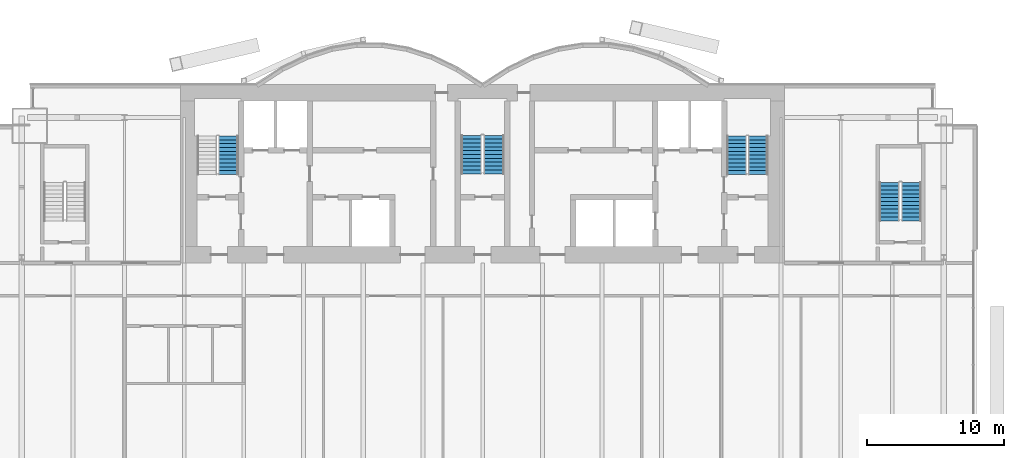
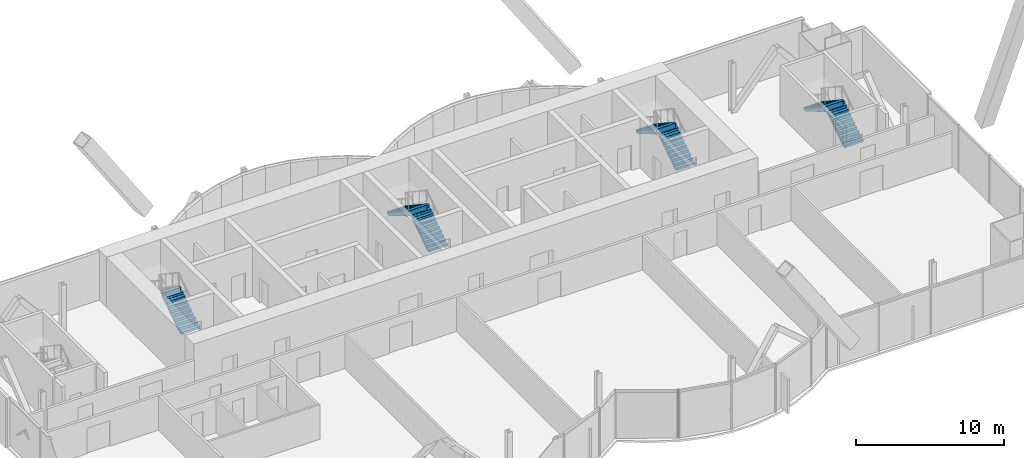
# One storey, part 21 of 24: 7 stair flights, 4 elements without a shape of their own.
"""IFC4 building model written with IfcOpenShell, lengths in metres."""

from ifc_helpers import new_model, si_unit, direction, frame, origin, place, context, subcontext, project, spatial, polyline, outline, extrude, material, type_object, element, aggregate, save


model = new_model("IFC4")

# Units and contexts
model_context = context("Model", 3, precision=1e-05, world=origin(), true_north=direction((0.0, 1.0)))
body_context = subcontext(model_context, "Body", "Model", "MODEL_VIEW")
ifc_project = project(units=[si_unit("LENGTHUNIT", "METRE"), si_unit("AREAUNIT", "SQUARE_METRE"), si_unit("VOLUMEUNIT", "CUBIC_METRE"), si_unit("PLANEANGLEUNIT", "RADIAN"), si_unit("MASSUNIT", "GRAM", prefix="KILO")], contexts=[model_context])

# Site, building, storey
site_placement = place(None, origin())
site = spatial("IfcSite", under=ifc_project, at=site_placement, CompositionType="ELEMENT")
building_placement = place(site_placement, origin())
building = spatial("IfcBuilding", under=site, at=building_placement, Name="Bicima Exchange Tower", CompositionType="ELEMENT")
storey_placement = place(building_placement, frame((0.0, 0.0, 211.39990234375)))
storey = spatial("IfcBuildingStorey", under=building, at=storey_placement, Name="L47", CompositionType="ELEMENT", Elevation=211.39990234375)

# Stair, stair flight
ifc_material = material(Name="Concrete C50/60", Category="concrete")
stair_type_1 = type_object("IfcStairType", Name="Exit stair", PredefinedType="HALF_TURN_STAIR", material=ifc_material)
stair_1_placement = place(storey_placement, origin())
stair_1 = element("IfcStair", 1, at=stair_1_placement, inside=storey, type_object=stair_type_1, Name="L47 West exit stair", PredefinedType="HALF_TURN_STAIR")
stair_flight_type_1 = type_object("IfcStairFlightType", Name="Stair flight RC", PredefinedType="STRAIGHT", material=ifc_material)
stair_flight_1_placement = place(storey_placement, frame((-18.52490234375, -6.550048828125, 0.0), z_axis=(0.0, 0.0, 1.0), x_axis=(0.0, 1.0, 0.0)))
stair_flight_1 = element("IfcStairFlight", 2, at=stair_flight_1_placement, type_object=stair_flight_type_1, Name="ST-W flight 1", NumberOfRisers=11, NumberOfTreads=10, PredefinedType="STRAIGHT", RiserHeight=0.186363636, TreadLength=0.28, context=body_context, shape_type="SweptSolid", body=[
    extrude(outline(polyline([(0.0, 0.0), (0.0, 0.186279296875), (0.280029296875, 0.186279296875), (0.280029296875, 0.372802734375), (0.56005859375, 0.372802734375), (0.56005859375, 0.55908203125), (0.840087890625, 0.55908203125), (0.840087890625, 0.745361328125), (1.1201171875, 0.745361328125), (1.1201171875, 0.931884765625), (1.39990234375, 0.931884765625), (1.39990234375, 1.1181640625), (1.679931640625, 1.1181640625), (1.679931640625, 1.304443359375), (1.9599609375, 1.304443359375), (1.9599609375, 1.490966796875), (2.239990234375, 1.490966796875), (2.239990234375, 1.67724609375), (2.52001953125, 1.67724609375), (2.52001953125, 1.863525390625), (2.800048828125, 1.863525390625), (2.800048828125, 2.050048828125), (2.800048828125, 1.68359375), (0.2705078125, 0.0), (0.0, 0.0)])), frame((0.0, 0.72509765625, 0.0), z_axis=(0.0, -1.0, 0.0), x_axis=(1.0, 0.0, 0.0)), (0.0, 0.0, 1.0), 1.449951171875),
])
aggregate(stair_1, [stair_flight_1])

# Stair, stair flights
stair_2_placement = place(storey_placement, origin())
stair_2 = element("IfcStair", 3, at=stair_2_placement, inside=storey, type_object=stair_type_1, Name="L47 East exit stair", PredefinedType="HALF_TURN_STAIR")
stair_flight_2_placement = place(storey_placement, frame((20.074951171875, -6.550048828125, 0.0), z_axis=(0.0, 0.0, 1.0), x_axis=(0.0, 1.0, 0.0)))
stair_flight_2 = element("IfcStairFlight", 4, at=stair_flight_2_placement, type_object=stair_flight_type_1, Name="ST-E flight 1", NumberOfRisers=11, NumberOfTreads=10, PredefinedType="STRAIGHT", RiserHeight=0.186363636, TreadLength=0.28, context=body_context, shape_type="SweptSolid", body=[
    extrude(outline(polyline([(0.0, 0.0), (0.0, 0.186279296875), (0.280029296875, 0.186279296875), (0.280029296875, 0.372802734375), (0.56005859375, 0.372802734375), (0.56005859375, 0.55908203125), (0.840087890625, 0.55908203125), (0.840087890625, 0.745361328125), (1.1201171875, 0.745361328125), (1.1201171875, 0.931884765625), (1.39990234375, 0.931884765625), (1.39990234375, 1.1181640625), (1.679931640625, 1.1181640625), (1.679931640625, 1.304443359375), (1.9599609375, 1.304443359375), (1.9599609375, 1.490966796875), (2.239990234375, 1.490966796875), (2.239990234375, 1.67724609375), (2.52001953125, 1.67724609375), (2.52001953125, 1.863525390625), (2.800048828125, 1.863525390625), (2.800048828125, 2.050048828125), (2.800048828125, 1.68359375), (0.2705078125, 0.0), (0.0, 0.0)])), frame((0.0, 0.72509765625, 0.0), z_axis=(0.0, -1.0, 0.0), x_axis=(1.0, 0.0, 0.0)), (0.0, 0.0, 1.0), 1.449951171875),
])
stair_flight_3_placement = place(storey_placement, frame((18.52490234375, -3.75, 2.050048828125), z_axis=(0.0, 0.0, 1.0), x_axis=(0.0, -1.0, 0.0)))
stair_flight_3 = element("IfcStairFlight", 5, at=stair_flight_3_placement, type_object=stair_flight_type_1, Name="ST-E flight 2", NumberOfRisers=11, NumberOfTreads=10, PredefinedType="STRAIGHT", RiserHeight=0.186363636, TreadLength=0.28, context=body_context, shape_type="SweptSolid", body=[
    extrude(outline(polyline([(0.0, 0.0), (0.0, 0.186279296875), (0.280029296875, 0.186279296875), (0.280029296875, 0.372802734375), (0.56005859375, 0.372802734375), (0.56005859375, 0.55908203125), (0.840087890625, 0.55908203125), (0.840087890625, 0.745361328125), (1.1201171875, 0.745361328125), (1.1201171875, 0.931884765625), (1.39990234375, 0.931884765625), (1.39990234375, 1.1181640625), (1.679931640625, 1.1181640625), (1.679931640625, 1.304443359375), (1.9599609375, 1.304443359375), (1.9599609375, 1.490966796875), (2.239990234375, 1.490966796875), (2.239990234375, 1.67724609375), (2.52001953125, 1.67724609375), (2.52001953125, 1.863525390625), (2.800048828125, 1.863525390625), (2.800048828125, 1.904052734375), (2.81494140625, 1.904052734375), (2.81494140625, 1.507080078125), (0.2705078125, 0.0), (0.0, 0.0)])), frame((0.0, 0.72509765625, 0.0), z_axis=(0.0, -1.0, 0.0), x_axis=(1.0, 0.0, 0.0)), (0.0, 0.0, 1.0), 1.449951171875),
])
aggregate(stair_2, [stair_flight_2, stair_flight_3])

stair_3_placement = place(storey_placement, origin())
stair_3 = element("IfcStair", 6, at=stair_3_placement, inside=storey, type_object=stair_type_1, Name="L47 East end exit stair", PredefinedType="HALF_TURN_STAIR")
stair_flight_4_placement = place(storey_placement, frame((31.25, -9.925048828125, 0.0), z_axis=(0.0, 0.0, 1.0), x_axis=(0.0, 1.0, 0.0)))
stair_flight_4 = element("IfcStairFlight", 7, at=stair_flight_4_placement, type_object=stair_flight_type_1, Name="ST-EE flight 1", NumberOfRisers=11, NumberOfTreads=10, PredefinedType="STRAIGHT", RiserHeight=0.186363636, TreadLength=0.28, context=body_context, shape_type="SweptSolid", body=[
    extrude(outline(polyline([(0.0, 0.0), (0.0, 0.186279296875), (0.280029296875, 0.186279296875), (0.280029296875, 0.372802734375), (0.56005859375, 0.372802734375), (0.56005859375, 0.55908203125), (0.840087890625, 0.55908203125), (0.840087890625, 0.745361328125), (1.1201171875, 0.745361328125), (1.1201171875, 0.931884765625), (1.39990234375, 0.931884765625), (1.39990234375, 1.1181640625), (1.679931640625, 1.1181640625), (1.679931640625, 1.304443359375), (1.9599609375, 1.304443359375), (1.9599609375, 1.490966796875), (2.239990234375, 1.490966796875), (2.239990234375, 1.67724609375), (2.52001953125, 1.67724609375), (2.52001953125, 1.863525390625), (2.800048828125, 1.863525390625), (2.800048828125, 2.050048828125), (2.800048828125, 1.68359375), (0.2705078125, 0.0), (0.0, 0.0)])), frame((0.0, 0.72509765625, 0.0), z_axis=(0.0, -1.0, 0.0), x_axis=(1.0, 0.0, 0.0)), (0.0, 0.0, 1.0), 1.449951171875),
])
stair_flight_5_placement = place(storey_placement, frame((29.64990234375, -7.125, 2.050048828125), z_axis=(0.0, 0.0, 1.0), x_axis=(0.0, -1.0, 0.0)))
stair_flight_5 = element("IfcStairFlight", 8, at=stair_flight_5_placement, type_object=stair_flight_type_1, Name="ST-EE flight 2", NumberOfRisers=11, NumberOfTreads=10, PredefinedType="STRAIGHT", RiserHeight=0.186363636, TreadLength=0.28, context=body_context, shape_type="SweptSolid", body=[
    extrude(outline(polyline([(0.0, 0.0), (0.0, 0.186279296875), (0.280029296875, 0.186279296875), (0.280029296875, 0.372802734375), (0.56005859375, 0.372802734375), (0.56005859375, 0.55908203125), (0.840087890625, 0.55908203125), (0.840087890625, 0.745361328125), (1.1201171875, 0.745361328125), (1.1201171875, 0.931884765625), (1.39990234375, 0.931884765625), (1.39990234375, 1.1181640625), (1.679931640625, 1.1181640625), (1.679931640625, 1.304443359375), (1.9599609375, 1.304443359375), (1.9599609375, 1.490966796875), (2.239990234375, 1.490966796875), (2.239990234375, 1.67724609375), (2.52001953125, 1.67724609375), (2.52001953125, 1.863525390625), (2.800048828125, 1.863525390625), (2.800048828125, 1.904052734375), (2.81494140625, 1.904052734375), (2.81494140625, 1.507080078125), (0.2705078125, 0.0), (0.0, 0.0)])), frame((0.0, 0.72509765625, 0.0), z_axis=(0.0, -1.0, 0.0), x_axis=(1.0, 0.0, 0.0)), (0.0, 0.0, 1.0), 1.449951171875),
])
aggregate(stair_3, [stair_flight_4, stair_flight_5])

stair_type_2 = type_object("IfcStairType", Name="Exit stair 1500", PredefinedType="HALF_TURN_STAIR", material=ifc_material)
stair_4_placement = place(storey_placement, origin())
stair_4 = element("IfcStair", 9, at=stair_4_placement, inside=storey, type_object=stair_type_2, Name="L47 Central exit stair", PredefinedType="HALF_TURN_STAIR")
stair_flight_type_2 = type_object("IfcStairFlightType", Name="Stair flight RC 1500", PredefinedType="STRAIGHT", material=ifc_material)
stair_flight_6_placement = place(storey_placement, frame((0.824951171875, -6.5, 0.0), z_axis=(0.0, 0.0, 1.0), x_axis=(0.0, 1.0, 0.0)))
stair_flight_6 = element("IfcStairFlight", 10, at=stair_flight_6_placement, type_object=stair_flight_type_2, Name="ST-C flight 1", NumberOfRisers=11, NumberOfTreads=10, PredefinedType="STRAIGHT", RiserHeight=0.186363636, TreadLength=0.28, context=body_context, shape_type="SweptSolid", body=[
    extrude(outline(polyline([(0.0, 0.0), (0.0, 0.186279296875), (0.280029296875, 0.186279296875), (0.280029296875, 0.372802734375), (0.56005859375, 0.372802734375), (0.56005859375, 0.55908203125), (0.840087890625, 0.55908203125), (0.840087890625, 0.745361328125), (1.1201171875, 0.745361328125), (1.1201171875, 0.931884765625), (1.39990234375, 0.931884765625), (1.39990234375, 1.1181640625), (1.679931640625, 1.1181640625), (1.679931640625, 1.304443359375), (1.9599609375, 1.304443359375), (1.9599609375, 1.490966796875), (2.239990234375, 1.490966796875), (2.239990234375, 1.67724609375), (2.52001953125, 1.67724609375), (2.52001953125, 1.863525390625), (2.800048828125, 1.863525390625), (2.800048828125, 2.050048828125), (2.800048828125, 1.68359375), (0.2705078125, 0.0), (0.0, 0.0)])), frame((0.0, 0.75, 0.0), z_axis=(0.0, -1.0, 0.0), x_axis=(1.0, 0.0, 0.0)), (0.0, 0.0, 1.0), 1.5),
])
stair_flight_7_placement = place(storey_placement, frame((-0.824951171875, -3.699951171875, 2.050048828125), z_axis=(0.0, 0.0, 1.0), x_axis=(0.0, -1.0, 0.0)))
stair_flight_7 = element("IfcStairFlight", 11, at=stair_flight_7_placement, type_object=stair_flight_type_2, Name="ST-C flight 2", NumberOfRisers=11, NumberOfTreads=10, PredefinedType="STRAIGHT", RiserHeight=0.186363636, TreadLength=0.28, context=body_context, shape_type="SweptSolid", body=[
    extrude(outline(polyline([(0.0, 0.0), (0.0, 0.186279296875), (0.280029296875, 0.186279296875), (0.280029296875, 0.372802734375), (0.56005859375, 0.372802734375), (0.56005859375, 0.55908203125), (0.840087890625, 0.55908203125), (0.840087890625, 0.745361328125), (1.1201171875, 0.745361328125), (1.1201171875, 0.931884765625), (1.39990234375, 0.931884765625), (1.39990234375, 1.1181640625), (1.679931640625, 1.1181640625), (1.679931640625, 1.304443359375), (1.9599609375, 1.304443359375), (1.9599609375, 1.490966796875), (2.239990234375, 1.490966796875), (2.239990234375, 1.67724609375), (2.52001953125, 1.67724609375), (2.52001953125, 1.863525390625), (2.800048828125, 1.863525390625), (2.800048828125, 1.904052734375), (2.81494140625, 1.904052734375), (2.81494140625, 1.507080078125), (0.2705078125, 0.0), (0.0, 0.0)])), frame((0.0, 0.75, 0.0), z_axis=(0.0, -1.0, 0.0), x_axis=(1.0, 0.0, 0.0)), (0.0, 0.0, 1.0), 1.5),
])
aggregate(stair_4, [stair_flight_6, stair_flight_7])

save(model, "model.ifc")
